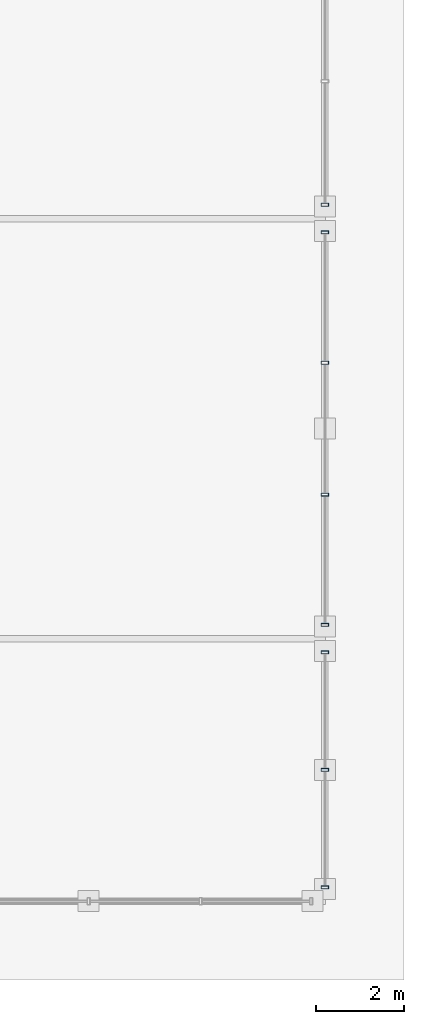
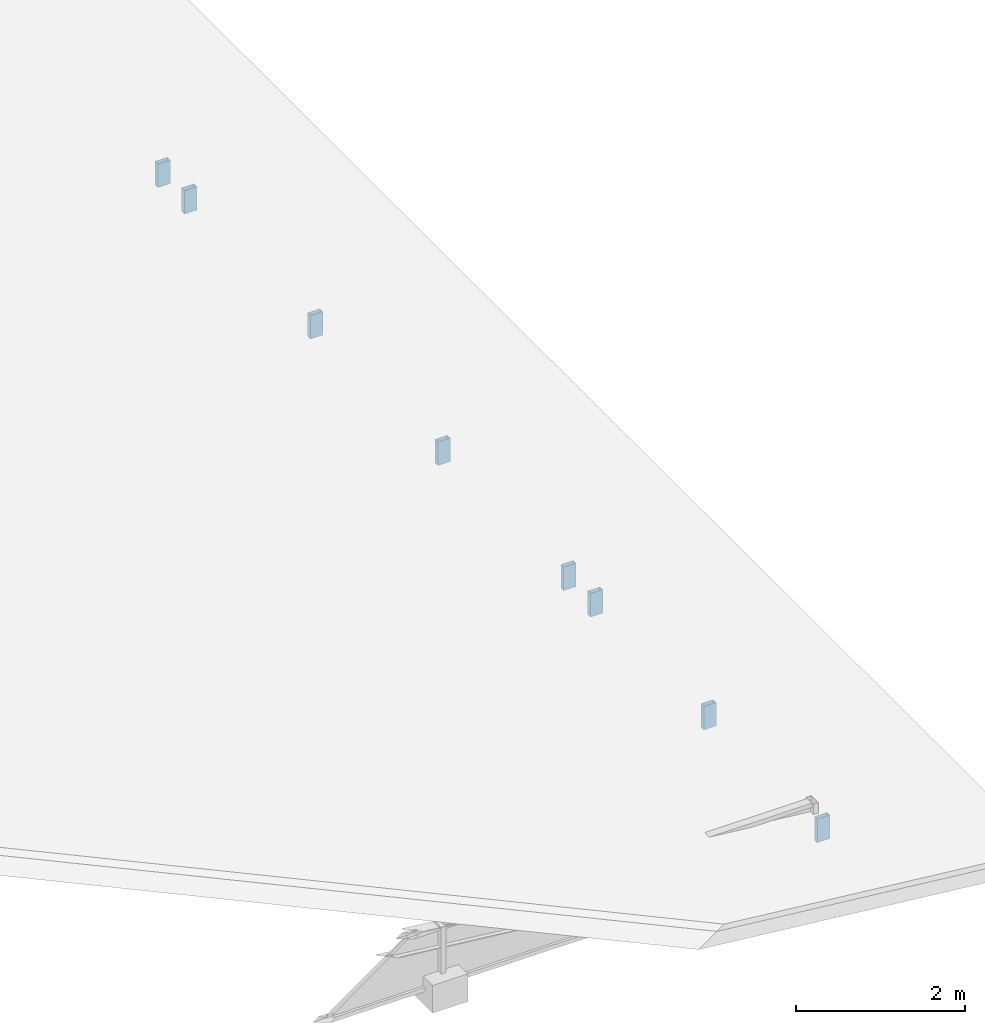
# One storey, part 83 of 117: 8 members, 3 elements without a shape of their own.
"""IFC4 building model written with IfcOpenShell, lengths in metres."""

from ifc_helpers import new_model, si_unit, direction, frame, origin, origin_2d, place, context, subcontext, project, spatial, hollow_rectangle, extrude, material, material_profile, profile_set, type_object, element, aggregate, save


model = new_model("IFC4")

# Units and contexts
model_context = context("Model", 3, precision=1e-05, world=origin(), true_north=direction((0.0, 1.0)))
body_context = subcontext(model_context, "Body", "Model", "MODEL_VIEW")
ifc_project = project(units=[si_unit("LENGTHUNIT", "METRE"), si_unit("AREAUNIT", "SQUARE_METRE"), si_unit("VOLUMEUNIT", "CUBIC_METRE"), si_unit("PLANEANGLEUNIT", "RADIAN"), si_unit("MASSUNIT", "GRAM", prefix="KILO")], contexts=[model_context])

# Site, building, storey
site_placement = place(None, origin())
site = spatial("IfcSite", under=ifc_project, at=site_placement, CompositionType="ELEMENT")
building_placement = place(site_placement, origin())
building = spatial("IfcBuilding", under=site, at=building_placement, Name="Merenkruunu Market Hall", CompositionType="ELEMENT")
storey_placement = place(building_placement, frame((0.0, 0.0, 22.800048828125)))
storey = spatial("IfcBuildingStorey", under=building, at=storey_placement, Name="RF", CompositionType="ELEMENT", Elevation=22.800048828125)

# Curtain wall, members
ifc_material = material(Name="Powder-coated aluminium", Category="aluminium")
curtain_wall_type = type_object("IfcCurtainWallType", Name="Clerestory Curtain Band CL04", PredefinedType="USERDEFINED", material=ifc_material)
curtain_wall_1_placement = place(storey_placement, origin())
curtain_wall_1 = element("IfcCurtainWall", 1, at=curtain_wall_1_placement, inside=storey, type_object=curtain_wall_type, Name="CW-RF-CWM04-237", ObjectType="CLERESTORY_BAND", PredefinedType="USERDEFINED")
ifc_material_profile = material_profile(ifc_material, hollow_rectangle(XDim=0.070068359375, YDim=0.169921875, WallThickness=0.0048828125, at=origin_2d()), Name="ALU 70x170x5")
ifc_profile_set = profile_set([ifc_material_profile], Name="Powder-coated aluminium")
member_type = type_object("IfcMemberType", Name="Curtain Wall Mullion CWM04", PredefinedType="MULLION", material=ifc_profile_set)
member_1_placement = place(storey_placement, frame((192.0, 5.68505859375, -1.719970703125), z_axis=(0.0, 0.0, 1.0), x_axis=(0.0, -1.0, 0.0)))
member_1 = element("IfcMember", 2, at=member_1_placement, type_object=member_type, Name="CL04 mullion 1", PredefinedType="MULLION", context=body_context, shape_type="SweptSolid", body=[
    extrude(hollow_rectangle(XDim=0.070068359375, YDim=0.169921875, WallThickness=0.0048828125, at=origin_2d()), origin(), (0.0, 0.0, 1.0), 0.33984375),
])
member_2_placement = place(storey_placement, frame((192.0, 3.0, -1.719970703125), z_axis=(0.0, 0.0, 1.0), x_axis=(0.0, -1.0, 0.0)))
member_2 = element("IfcMember", 3, at=member_2_placement, type_object=member_type, Name="CL04 mullion 2", PredefinedType="MULLION", context=body_context, shape_type="SweptSolid", body=[
    extrude(hollow_rectangle(XDim=0.070068359375, YDim=0.169921875, WallThickness=0.0048828125, at=origin_2d()), origin(), (0.0, 0.0, 1.0), 0.33984375),
])
member_3_placement = place(storey_placement, frame((192.0, 0.31494140625, -1.719970703125), z_axis=(0.0, 0.0, 1.0), x_axis=(0.0, -1.0, 0.0)))
member_3 = element("IfcMember", 4, at=member_3_placement, type_object=member_type, Name="CL04 mullion 3", PredefinedType="MULLION", context=body_context, shape_type="SweptSolid", body=[
    extrude(hollow_rectangle(XDim=0.070068359375, YDim=0.169921875, WallThickness=0.0048828125, at=origin_2d()), origin(), (0.0, 0.0, 1.0), 0.33984375),
])
aggregate(curtain_wall_1, [member_1, member_2, member_3])

curtain_wall_2_placement = place(storey_placement, origin())
curtain_wall_2 = element("IfcCurtainWall", 5, at=curtain_wall_2_placement, inside=storey, type_object=curtain_wall_type, Name="CW-RF-CWM04-239", ObjectType="CLERESTORY_BAND", PredefinedType="USERDEFINED")
member_4_placement = place(storey_placement, frame((192.0, 15.284912109375, -1.719970703125), z_axis=(0.0, 0.0, 1.0), x_axis=(0.0, -1.0, 0.0)))
member_4 = element("IfcMember", 6, at=member_4_placement, type_object=member_type, Name="CL04 mullion 1", PredefinedType="MULLION", context=body_context, shape_type="SweptSolid", body=[
    extrude(hollow_rectangle(XDim=0.070068359375, YDim=0.169921875, WallThickness=0.0048828125, at=origin_2d()), origin(), (0.0, 0.0, 1.0), 0.33984375),
])
member_5_placement = place(storey_placement, frame((192.0, 12.306640625, -1.719970703125), z_axis=(0.0, 0.0, 1.0), x_axis=(0.0, -1.0, 0.0)))
member_5 = element("IfcMember", 7, at=member_5_placement, type_object=member_type, Name="CL04 mullion 2", PredefinedType="MULLION", context=body_context, shape_type="SweptSolid", body=[
    extrude(hollow_rectangle(XDim=0.070068359375, YDim=0.169921875, WallThickness=0.0048828125, at=origin_2d()), origin(), (0.0, 0.0, 1.0), 0.33984375),
])
member_6_placement = place(storey_placement, frame((192.0, 9.293212890625, -1.719970703125), z_axis=(0.0, 0.0, 1.0), x_axis=(0.0, -1.0, 0.0)))
member_6 = element("IfcMember", 8, at=member_6_placement, type_object=member_type, Name="CL04 mullion 3", PredefinedType="MULLION", context=body_context, shape_type="SweptSolid", body=[
    extrude(hollow_rectangle(XDim=0.070068359375, YDim=0.169921875, WallThickness=0.0048828125, at=origin_2d()), origin(), (0.0, 0.0, 1.0), 0.33984375),
])
member_7_placement = place(storey_placement, frame((192.0, 6.31494140625, -1.719970703125), z_axis=(0.0, 0.0, 1.0), x_axis=(0.0, -1.0, 0.0)))
member_7 = element("IfcMember", 9, at=member_7_placement, type_object=member_type, Name="CL04 mullion 4", PredefinedType="MULLION", context=body_context, shape_type="SweptSolid", body=[
    extrude(hollow_rectangle(XDim=0.070068359375, YDim=0.169921875, WallThickness=0.0048828125, at=origin_2d()), origin(), (0.0, 0.0, 1.0), 0.33984375),
])
aggregate(curtain_wall_2, [member_4, member_5, member_6, member_7])

# Curtain wall, member
curtain_wall_3_placement = place(storey_placement, origin())
curtain_wall_3 = element("IfcCurtainWall", 10, at=curtain_wall_3_placement, inside=storey, type_object=curtain_wall_type, Name="CW-RF-CWM04-241", ObjectType="CLERESTORY_BAND", PredefinedType="USERDEFINED")
member_8_placement = place(storey_placement, frame((192.0, 15.9150390625, -1.719970703125), z_axis=(0.0, 0.0, 1.0), x_axis=(0.0, -1.0, 0.0)))
member_8 = element("IfcMember", 11, at=member_8_placement, type_object=member_type, Name="CL04 mullion 5", PredefinedType="MULLION", context=body_context, shape_type="SweptSolid", body=[
    extrude(hollow_rectangle(XDim=0.070068359375, YDim=0.169921875, WallThickness=0.0048828125, at=origin_2d()), origin(), (0.0, 0.0, 1.0), 0.33984375),
])
aggregate(curtain_wall_3, [member_8])

save(model, "model.ifc")
